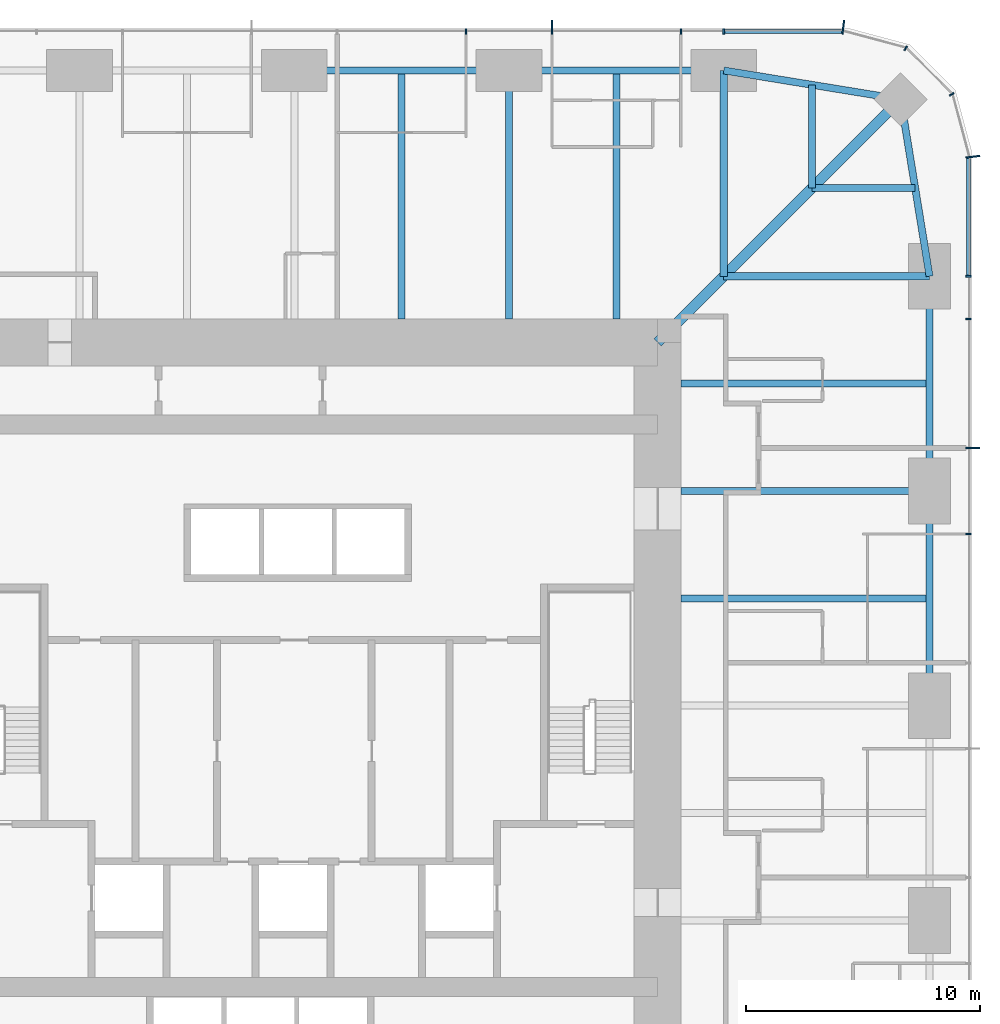
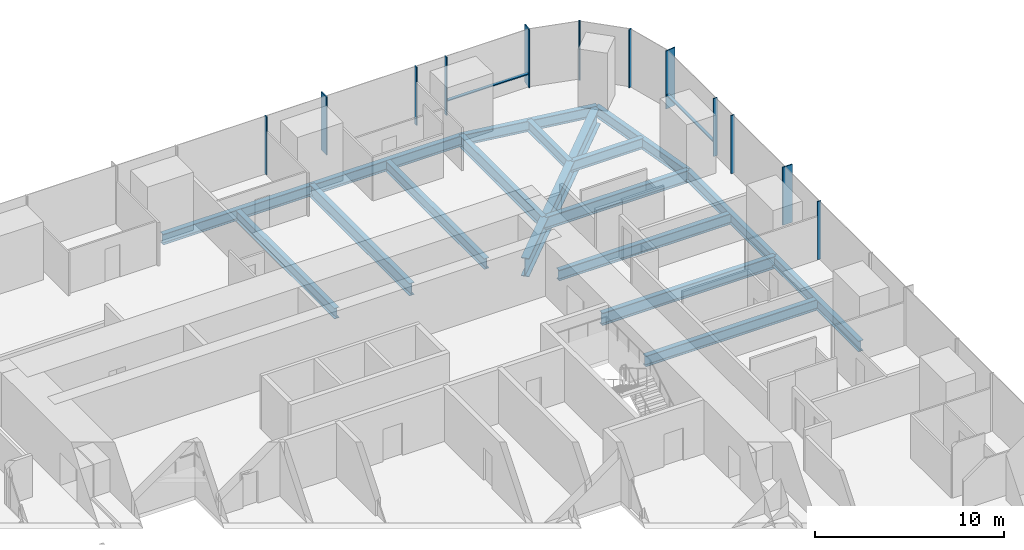
# One storey, part 6 of 13: 17 beams, 14 members, 3 elements without a shape of their own.
"""IFC4 building model written with IfcOpenShell, lengths in metres."""

from ifc_helpers import new_model, si_unit, direction, frame, origin, origin_2d, place, context, subcontext, project, spatial, rectangle, i_section, extrude, material, material_profile, profile_set, type_object, element, aggregate, save


model = new_model("IFC4")

# Units and contexts
model_context = context("Model", 3, precision=1e-05, world=origin(), true_north=direction((0.0, 1.0)))
body_context = subcontext(model_context, "Body", "Model", "MODEL_VIEW")
ifc_project = project(units=[si_unit("LENGTHUNIT", "METRE"), si_unit("AREAUNIT", "SQUARE_METRE"), si_unit("VOLUMEUNIT", "CUBIC_METRE"), si_unit("PLANEANGLEUNIT", "RADIAN"), si_unit("MASSUNIT", "GRAM", prefix="KILO")], contexts=[model_context])

# Site, building, storey
site_placement = place(None, origin())
site = spatial("IfcSite", under=ifc_project, at=site_placement, CompositionType="ELEMENT")
building_placement = place(site_placement, origin())
building = spatial("IfcBuilding", under=site, at=building_placement, Name="Khuree Lantern Residences", CompositionType="ELEMENT")
storey_placement = place(building_placement, frame((0.0, 0.0, 137.25)))
storey = spatial("IfcBuildingStorey", under=building, at=storey_placement, Name="L34", CompositionType="ELEMENT", Elevation=137.25)

# Beams
ifc_material_1 = material(Name="Steel S355", Category="steel")
ifc_material_profile_1 = material_profile(ifc_material_1, i_section(OverallWidth=0.300048828125, OverallDepth=0.68994140625, WebThickness=0.014404296875, FlangeThickness=0.027099609375, FilletRadius=0.027099609375, at=origin_2d()), Name="HE 700 A")
ifc_profile_set_1 = profile_set([ifc_material_profile_1], Name="Steel S355")
beam_type_1 = type_object("IfcBeamType", Name="B-23 SECONDARY BEAM HE 700 A", PredefinedType="BEAM", material=ifc_profile_set_1)
for number, where, z_axis, x_axis, name in (
    (1, (4.580078125, 27.10009765625, -0.594970703125), (0.0, -1.0, 0.0), (1.0, 0.0, 0.0), "Secondary beam N3"),
    (2, (13.739990234375, 27.10009765625, -0.594970703125), (0.0, -1.0, 0.0), (1.0, 0.0, 0.0), "Secondary beam N4"),
):
    element("IfcBeam", number, at=place(storey_placement, frame(where, z_axis=z_axis, x_axis=x_axis)), inside=storey, type_object=beam_type_1, Name=name, PredefinedType="BEAM", context=body_context, shape_type="SweptSolid", body=[
        extrude(i_section(OverallWidth=0.300048828125, OverallDepth=0.68994140625, WebThickness=0.014404296875, FlangeThickness=0.027099609375, FilletRadius=0.027099609375, at=origin_2d()), origin(), (0.0, 0.0, 1.0), 10.60009765625),
    ])
for number, where, z_axis, x_axis, name in (
    (3, (22.094970703125, 26.48486328125, -0.594970703125), (0.0, -1.0, 0.0), (1.0, 0.0, 0.0), "Secondary beam N5"),
    (4, (26.48486328125, 22.094970703125, -0.594970703125), (-1.0, 0.0, 0.0), (0.0, -1.0, 0.0), "Secondary beam E1"),
):
    element("IfcBeam", number, at=place(storey_placement, frame(where, z_axis=z_axis, x_axis=x_axis)), inside=storey, type_object=beam_type_1, Name=name, PredefinedType="BEAM", context=body_context, shape_type="SweptSolid", body=[
        extrude(i_section(OverallWidth=0.300048828125, OverallDepth=0.68994140625, WebThickness=0.014404296875, FlangeThickness=0.027099609375, FilletRadius=0.027099609375, at=origin_2d()), origin(), (0.0, 0.0, 1.0), 4.389892578125),
    ])
for number, where, z_axis, x_axis, name in (
    (5, (27.10009765625, 13.739990234375, -0.594970703125), (-1.0, 0.0, 0.0), (0.0, -1.0, 0.0), "Secondary beam E2"),
    (6, (27.10009765625, 4.580078125, -0.594970703125), (-1.0, 0.0, 0.0), (0.0, -1.0, 0.0), "Secondary beam E3"),
):
    element("IfcBeam", number, at=place(storey_placement, frame(where, z_axis=z_axis, x_axis=x_axis)), inside=storey, type_object=beam_type_1, Name=name, PredefinedType="BEAM", context=body_context, shape_type="SweptSolid", body=[
        extrude(i_section(OverallWidth=0.300048828125, OverallDepth=0.68994140625, WebThickness=0.014404296875, FlangeThickness=0.027099609375, FilletRadius=0.027099609375, at=origin_2d()), origin(), (0.0, 0.0, 1.0), 10.60009765625),
    ])
ifc_material_profile_2 = material_profile(ifc_material_1, i_section(OverallWidth=0.300048828125, OverallDepth=0.68994140625, WebThickness=0.014404296875, FlangeThickness=0.027099609375, FilletRadius=0.027099609375, at=origin_2d()), Name="HE 700 A")
ifc_profile_set_2 = profile_set([ifc_material_profile_2], Name="Steel S355")
beam_type_2 = type_object("IfcBeamType", Name="E-23 SPANDREL BEAM HE 700 A", PredefinedType="SPANDREL", material=ifc_profile_set_2)
beam_1_placement = place(storey_placement, frame((0.0, 27.10009765625, -0.594970703125), z_axis=(1.0, 0.0, 0.0), x_axis=(0.0, 1.0, 0.0)))
element("IfcBeam", 7, at=beam_1_placement, inside=storey, type_object=beam_type_2, Name="Spandrel beam N3", PredefinedType="SPANDREL", context=body_context, shape_type="SweptSolid", body=[
    extrude(i_section(OverallWidth=0.300048828125, OverallDepth=0.68994140625, WebThickness=0.014404296875, FlangeThickness=0.027099609375, FilletRadius=0.027099609375, at=origin_2d()), origin(), (0.0, 0.0, 1.0), 9.159912109375),
])
beam_2_placement = place(storey_placement, frame((9.159912109375, 27.10009765625, -0.594970703125), z_axis=(1.0, 0.0, 0.0), x_axis=(0.0, 1.0, 0.0)))
element("IfcBeam", 8, at=beam_2_placement, inside=storey, type_object=beam_type_2, Name="Spandrel beam N4", PredefinedType="SPANDREL", context=body_context, shape_type="SweptSolid", body=[
    extrude(i_section(OverallWidth=0.300048828125, OverallDepth=0.68994140625, WebThickness=0.014404296875, FlangeThickness=0.027099609375, FilletRadius=0.027099609375, at=origin_2d()), origin(), (0.0, 0.0, 1.0), 9.16015625),
])
for number, where, z_axis, x_axis, name in (
    (9, (18.320068359375, 27.10009765625, -0.594970703125), (0.986982656839, -0.160826723833, 0.0), (0.160826723833, 0.986982656839, 0.0), "Spandrel beam N5"),
    (10, (25.869873046875, 25.869873046875, -0.594970703125), (0.160826723833, -0.986982656839, 0.0), (0.986982656839, 0.160826723833, 0.0), "Spandrel beam E1"),
):
    element("IfcBeam", number, at=place(storey_placement, frame(where, z_axis=z_axis, x_axis=x_axis)), inside=storey, type_object=beam_type_2, Name=name, PredefinedType="SPANDREL", context=body_context, shape_type="SweptSolid", body=[
        extrude(i_section(OverallWidth=0.300048828125, OverallDepth=0.68994140625, WebThickness=0.014404296875, FlangeThickness=0.027099609375, FilletRadius=0.027099609375, at=origin_2d()), origin(), (0.0, 0.0, 1.0), 7.6494140625),
    ])
beam_3_placement = place(storey_placement, frame((27.10009765625, 18.320068359375, -0.594970703125), z_axis=(0.0, -1.0, 0.0), x_axis=(1.0, 0.0, 0.0)))
element("IfcBeam", 11, at=beam_3_placement, inside=storey, type_object=beam_type_2, Name="Spandrel beam E2", PredefinedType="SPANDREL", context=body_context, shape_type="SweptSolid", body=[
    extrude(i_section(OverallWidth=0.300048828125, OverallDepth=0.68994140625, WebThickness=0.014404296875, FlangeThickness=0.027099609375, FilletRadius=0.027099609375, at=origin_2d()), origin(), (0.0, 0.0, 1.0), 9.16015625),
])
beam_4_placement = place(storey_placement, frame((27.10009765625, 9.159912109375, -0.594970703125), z_axis=(0.0, -1.0, 0.0), x_axis=(1.0, 0.0, 0.0)))
element("IfcBeam", 12, at=beam_4_placement, inside=storey, type_object=beam_type_2, Name="Spandrel beam E3", PredefinedType="SPANDREL", context=body_context, shape_type="SweptSolid", body=[
    extrude(i_section(OverallWidth=0.300048828125, OverallDepth=0.68994140625, WebThickness=0.014404296875, FlangeThickness=0.027099609375, FilletRadius=0.027099609375, at=origin_2d()), origin(), (0.0, 0.0, 1.0), 9.159912109375),
])

# Curtain wall, member
ifc_material_2 = material(Name="Bronze anodised aluminium", Category="aluminium")
curtain_wall_type_1 = type_object("IfcCurtainWallType", Name="CW-T1 TOWER FACE CURTAIN WALL", PredefinedType="USERDEFINED", material=ifc_material_2)
curtain_wall_1_placement = place(storey_placement, origin())
curtain_wall_1 = element("IfcCurtainWall", 13, at=curtain_wall_1_placement, inside=storey, type_object=curtain_wall_type_1, Name="L34 EAST FACE CURTAIN WALL", ObjectType="Stick-built curtain wall", PredefinedType="USERDEFINED")
ifc_material_profile_3 = material_profile(ifc_material_2, rectangle(XDim=0.06494140625, YDim=0.60009765625, at=origin_2d()), Name="F1 65X600")
ifc_profile_set_3 = profile_set([ifc_material_profile_3], Name="Bronze anodised aluminium")
member_type_1 = type_object("IfcMemberType", Name="F1 BRONZE FIN MULLION TOWER 65X600", PredefinedType="MULLION", material=ifc_profile_set_3)
member_1_placement = place(storey_placement, frame((28.949951171875, 10.991943359375, 0.0), z_axis=(0.0, 0.0, 1.0), x_axis=(0.0, 1.0, 0.0)))
member_1 = element("IfcMember", 14, at=member_1_placement, type_object=member_type_1, Name="L34 EAST FACE FIN MULLION 12", PredefinedType="MULLION", context=body_context, shape_type="SweptSolid", body=[
    extrude(rectangle(XDim=0.06494140625, YDim=0.60009765625, at=origin_2d()), origin(), (0.0, 0.0, 1.0), 3.75),
])

curtain_wall_type_2 = type_object("IfcCurtainWallType", Name="CW-T2 TOWER CORNER CURTAIN WALL", PredefinedType="USERDEFINED", material=ifc_material_2)
curtain_wall_2_placement = place(storey_placement, origin())
curtain_wall_2 = element("IfcCurtainWall", 15, at=curtain_wall_2_placement, inside=storey, type_object=curtain_wall_type_2, Name="L34 NORTH-EAST CORNER CURTAIN WALL", ObjectType="Faceted corner curtain wall", PredefinedType="USERDEFINED")
member_2_placement = place(storey_placement, frame((28.9501953125, 23.419677734375, 0.0), z_axis=(0.0, 0.0, 1.0), x_axis=(-0.130526223125, 0.991444857305, 0.0)))
member_2 = element("IfcMember", 16, at=member_2_placement, type_object=member_type_1, Name="L34 NORTH-EAST CORNER FIN MULLION 15", PredefinedType="MULLION", context=body_context, shape_type="SweptSolid", body=[
    extrude(rectangle(XDim=0.06494140625, YDim=0.60009765625, at=origin_2d()), origin(), (0.0, 0.0, 1.0), 3.75),
])

# Curtain wall, members
curtain_wall_3_placement = place(storey_placement, origin())
curtain_wall_3 = element("IfcCurtainWall", 17, at=curtain_wall_3_placement, inside=storey, type_object=curtain_wall_type_1, Name="L34 NORTH FACE CURTAIN WALL", ObjectType="Stick-built curtain wall", PredefinedType="USERDEFINED")
member_3_placement = place(storey_placement, frame((23.419677734375, 28.9501953125, 0.0), z_axis=(0.0, 0.0, 1.0), x_axis=(-0.991444857305, 0.130526223125, 0.0)))
member_3 = element("IfcMember", 18, at=member_3_placement, type_object=member_type_1, Name="L34 NORTH FACE FIN MULLION 18", PredefinedType="MULLION", context=body_context, shape_type="SweptSolid", body=[
    extrude(rectangle(XDim=0.06494140625, YDim=0.60009765625, at=origin_2d()), origin(), (0.0, 0.0, 1.0), 3.75),
])
member_4_placement = place(storey_placement, frame((10.991943359375, 28.949951171875, 0.0), z_axis=(0.0, 0.0, 1.0), x_axis=(-1.0, 0.0, 0.0)))
member_4 = element("IfcMember", 19, at=member_4_placement, type_object=member_type_1, Name="L34 NORTH FACE FIN MULLION 21", PredefinedType="MULLION", context=body_context, shape_type="SweptSolid", body=[
    extrude(rectangle(XDim=0.06494140625, YDim=0.60009765625, at=origin_2d()), origin(), (0.0, 0.0, 1.0), 3.75),
])

# Beams
ifc_material_profile_4 = material_profile(ifc_material_1, i_section(OverallWidth=0.300048828125, OverallDepth=0.800048828125, WebThickness=0.017578125, FlangeThickness=0.032958984375, FilletRadius=0.030029296875, at=origin_2d()), Name="HE 800 B")
ifc_profile_set_4 = profile_set([ifc_material_profile_4], Name="Steel S355")
beam_type_3 = type_object("IfcBeamType", Name="G-23 GIRDER HE 800 B", PredefinedType="BEAM", material=ifc_profile_set_4)
beam_5_placement = place(storey_placement, frame((9.159912109375, 27.10009765625, -0.64990234375), z_axis=(0.0, -1.0, 0.0), x_axis=(1.0, 0.0, 0.0)))
element("IfcBeam", 20, at=beam_5_placement, inside=storey, type_object=beam_type_3, Name="Girder N4", PredefinedType="BEAM", context=body_context, shape_type="SweptSolid", body=[
    extrude(i_section(OverallWidth=0.300048828125, OverallDepth=0.800048828125, WebThickness=0.017578125, FlangeThickness=0.032958984375, FilletRadius=0.030029296875, at=origin_2d()), origin(), (0.0, 0.0, 1.0), 10.60009765625),
])
for number, where, z_axis, x_axis, name in (
    (21, (18.320068359375, 27.10009765625, -0.64990234375), (0.0, -1.0, 0.0), (1.0, 0.0, 0.0), "Girder N5"),
    (22, (27.10009765625, 18.320068359375, -0.64990234375), (-1.0, 0.0, 0.0), (0.0, -1.0, 0.0), "Girder E1"),
):
    element("IfcBeam", number, at=place(storey_placement, frame(where, z_axis=z_axis, x_axis=x_axis)), inside=storey, type_object=beam_type_3, Name=name, PredefinedType="BEAM", context=body_context, shape_type="SweptSolid", body=[
        extrude(i_section(OverallWidth=0.300048828125, OverallDepth=0.800048828125, WebThickness=0.017578125, FlangeThickness=0.032958984375, FilletRadius=0.030029296875, at=origin_2d()), origin(), (0.0, 0.0, 1.0), 8.780029296875),
    ])
beam_6_placement = place(storey_placement, frame((27.10009765625, 9.159912109375, -0.64990234375), z_axis=(-1.0, 0.0, 0.0), x_axis=(0.0, -1.0, 0.0)))
element("IfcBeam", 23, at=beam_6_placement, inside=storey, type_object=beam_type_3, Name="Girder E2", PredefinedType="BEAM", context=body_context, shape_type="SweptSolid", body=[
    extrude(i_section(OverallWidth=0.300048828125, OverallDepth=0.800048828125, WebThickness=0.017578125, FlangeThickness=0.032958984375, FilletRadius=0.030029296875, at=origin_2d()), origin(), (0.0, 0.0, 1.0), 10.60009765625),
])
ifc_material_profile_5 = material_profile(ifc_material_1, i_section(OverallWidth=0.449951171875, OverallDepth=1.199951171875, WebThickness=0.02490234375, FlangeThickness=0.044921875, at=origin_2d()), Name="WELDED I 1200X450X25X45")
ifc_profile_set_5 = profile_set([ifc_material_profile_5], Name="Steel S355")
beam_type_4 = type_object("IfcBeamType", Name="GD-23 CORNER GIRDER WELDED I 1200X450X25X45", PredefinedType="BEAM", material=ifc_profile_set_5)
beam_7_placement = place(storey_placement, frame((25.869873046875, 25.869873046875, -0.85009765625), z_axis=(-0.707106781187, -0.707106781187, 0.0), x_axis=(0.707106781187, -0.707106781187, 0.0)))
element("IfcBeam", 24, at=beam_7_placement, inside=storey, type_object=beam_type_4, Name="Corner girder NE", PredefinedType="BEAM", context=body_context, shape_type="SweptSolid", body=[
    extrude(i_section(OverallWidth=0.449951171875, OverallDepth=1.199951171875, WebThickness=0.02490234375, FlangeThickness=0.044921875, at=origin_2d()), origin(), (0.0, 0.0, 1.0), 14.665283203125),
])

# Member
ifc_material_profile_6 = material_profile(ifc_material_2, rectangle(XDim=0.06494140625, YDim=0.219970703125, at=origin_2d()), Name="M1 65X220")
ifc_profile_set_6 = profile_set([ifc_material_profile_6], Name="Bronze anodised aluminium")
member_type_2 = type_object("IfcMemberType", Name="M1 BRONZE MULLION TOWER 65X220", PredefinedType="MULLION", material=ifc_profile_set_6)
member_5_placement = place(storey_placement, frame((28.760009765625, 7.327880859375, 0.0), z_axis=(0.0, 0.0, 1.0), x_axis=(0.0, 1.0, 0.0)))
member_5 = element("IfcMember", 25, at=member_5_placement, type_object=member_type_2, Name="L34 EAST FACE MULLION 11", PredefinedType="MULLION", context=body_context, shape_type="SweptSolid", body=[
    extrude(rectangle(XDim=0.06494140625, YDim=0.219970703125, at=origin_2d()), origin(), (0.0, 0.0, 1.0), 3.75),
])

member_6_placement = place(storey_placement, frame((28.760009765625, 16.488037109375, 0.0), z_axis=(0.0, 0.0, 1.0), x_axis=(0.0, 1.0, 0.0)))
member_6 = element("IfcMember", 26, at=member_6_placement, type_object=member_type_2, Name="L34 EAST FACE MULLION 13", PredefinedType="MULLION", context=body_context, shape_type="SweptSolid", body=[
    extrude(rectangle(XDim=0.06494140625, YDim=0.219970703125, at=origin_2d()), origin(), (0.0, 0.0, 1.0), 3.75),
])

member_7_placement = place(storey_placement, frame((28.760009765625, 18.320068359375, 0.0), z_axis=(0.0, 0.0, 1.0), x_axis=(0.0, 1.0, 0.0)))
member_7 = element("IfcMember", 27, at=member_7_placement, type_object=member_type_2, Name="L34 EAST FACE MULLION 14", PredefinedType="MULLION", context=body_context, shape_type="SweptSolid", body=[
    extrude(rectangle(XDim=0.06494140625, YDim=0.219970703125, at=origin_2d()), origin(), (0.0, 0.0, 1.0), 3.75),
])

member_8_placement = place(storey_placement, frame((28.0419921875, 26.080078125, 0.0), z_axis=(0.0, 0.0, 1.0), x_axis=(-0.500000026995, 0.866025388199, 0.0)))
member_8 = element("IfcMember", 28, at=member_8_placement, type_object=member_type_2, Name="L34 NORTH-EAST CORNER MULLION 16", PredefinedType="MULLION", context=body_context, shape_type="SweptSolid", body=[
    extrude(rectangle(XDim=0.06494140625, YDim=0.219970703125, at=origin_2d()), origin(), (0.0, 0.0, 1.0), 3.75),
])

member_9_placement = place(storey_placement, frame((26.080078125, 28.0419921875, 0.0), z_axis=(0.0, 0.0, 1.0), x_axis=(-0.866025388199, 0.500000026995, 0.0)))
member_9 = element("IfcMember", 29, at=member_9_placement, type_object=member_type_2, Name="L34 NORTH-EAST CORNER MULLION 17", PredefinedType="MULLION", context=body_context, shape_type="SweptSolid", body=[
    extrude(rectangle(XDim=0.06494140625, YDim=0.219970703125, at=origin_2d()), origin(), (0.0, 0.0, 1.0), 3.75),
])

aggregate(curtain_wall_2, [member_2, member_8, member_9])

member_10_placement = place(storey_placement, frame((18.320068359375, 28.760009765625, 0.0), z_axis=(0.0, 0.0, 1.0), x_axis=(-1.0, 0.0, 0.0)))
member_10 = element("IfcMember", 30, at=member_10_placement, type_object=member_type_2, Name="L34 NORTH FACE MULLION 19", PredefinedType="MULLION", context=body_context, shape_type="SweptSolid", body=[
    extrude(rectangle(XDim=0.06494140625, YDim=0.219970703125, at=origin_2d()), origin(), (0.0, 0.0, 1.0), 3.75),
])

member_11_placement = place(storey_placement, frame((16.488037109375, 28.760009765625, 0.0), z_axis=(0.0, 0.0, 1.0), x_axis=(-1.0, 0.0, 0.0)))
member_11 = element("IfcMember", 31, at=member_11_placement, type_object=member_type_2, Name="L34 NORTH FACE MULLION 20", PredefinedType="MULLION", context=body_context, shape_type="SweptSolid", body=[
    extrude(rectangle(XDim=0.06494140625, YDim=0.219970703125, at=origin_2d()), origin(), (0.0, 0.0, 1.0), 3.75),
])

member_12_placement = place(storey_placement, frame((7.327880859375, 28.760009765625, 0.0), z_axis=(0.0, 0.0, 1.0), x_axis=(-1.0, 0.0, 0.0)))
member_12 = element("IfcMember", 32, at=member_12_placement, type_object=member_type_2, Name="L34 NORTH FACE MULLION 22", PredefinedType="MULLION", context=body_context, shape_type="SweptSolid", body=[
    extrude(rectangle(XDim=0.06494140625, YDim=0.219970703125, at=origin_2d()), origin(), (0.0, 0.0, 1.0), 3.75),
])

ifc_material_profile_7 = material_profile(ifc_material_2, rectangle(XDim=0.179931640625, YDim=0.06494140625, at=origin_2d()), Name="T1 180X65")
ifc_profile_set_7 = profile_set([ifc_material_profile_7], Name="Bronze anodised aluminium")
member_type_3 = type_object("IfcMemberType", Name="TRANSOM T1 TOWER 180X65", PredefinedType="USERDEFINED", material=ifc_profile_set_7)
member_13_placement = place(storey_placement, frame((28.77001953125, 18.3525390625, 0.89990234375), z_axis=(0.0, 1.0, 0.0), x_axis=(-1.0, 0.0, 0.0)))
member_13 = element("IfcMember", 33, at=member_13_placement, type_object=member_type_3, Name="L34 EAST FACE TRANSOM 14.1", ObjectType="Transom", PredefinedType="USERDEFINED", context=body_context, shape_type="SweptSolid", body=[
    extrude(rectangle(XDim=0.179931640625, YDim=0.06494140625, at=origin_2d()), origin(), (0.0, 0.0, 1.0), 4.998779296875),
])

aggregate(curtain_wall_1, [member_5, member_1, member_6, member_7, member_13])

member_14_placement = place(storey_placement, frame((23.351318359375, 28.77001953125, 0.89990234375), z_axis=(-1.0, 0.0, 0.0), x_axis=(0.0, -1.0, 0.0)))
member_14 = element("IfcMember", 34, at=member_14_placement, type_object=member_type_3, Name="L34 NORTH FACE TRANSOM 18.1", ObjectType="Transom", PredefinedType="USERDEFINED", context=body_context, shape_type="SweptSolid", body=[
    extrude(rectangle(XDim=0.179931640625, YDim=0.06494140625, at=origin_2d()), origin(), (0.0, 0.0, 1.0), 4.998779296875),
])

aggregate(curtain_wall_3, [member_3, member_10, member_11, member_4, member_12, member_14])

save(model, "model.ifc")
